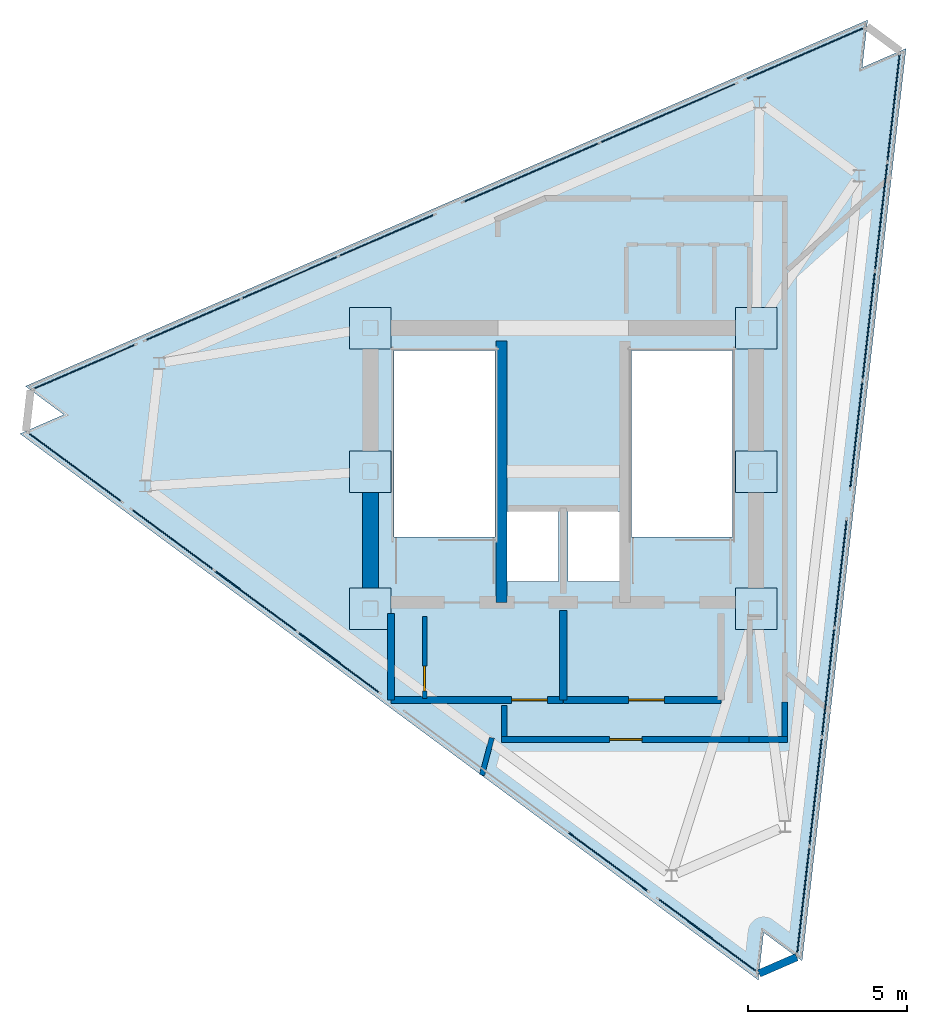
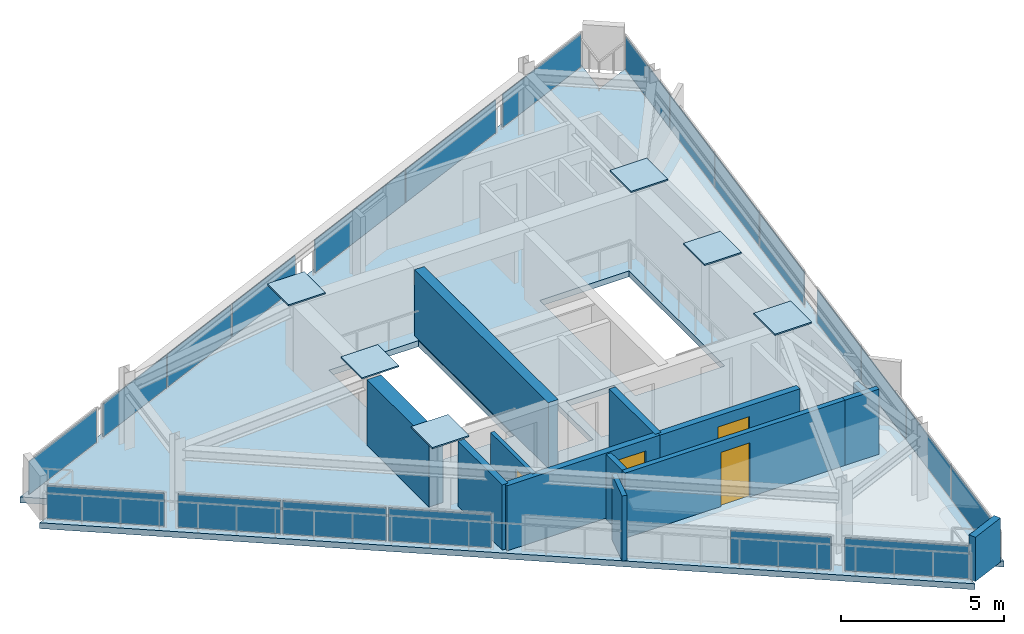
# One storey, part 6 of 9: 27 plates, 13 walls, 4 doors, 1 slab, 4 openings, 10 elements without a shape of their own.
"""IFC4 building model written with IfcOpenShell, lengths in metres."""

from ifc_helpers import new_model, si_unit, direction, frame, frame_2d, origin, origin_2d, place, context, subcontext, project, spatial, polyline, rectangle, outline, extrude, material, layer, layer_set, type_object, element, fill, aggregate, save


model = new_model("IFC4")

# Units and contexts
model_context = context("Model", 3, precision=1e-05, world=origin(), true_north=direction((0.0, 1.0)))
body_context = subcontext(model_context, "Body", "Model", "MODEL_VIEW")
ifc_project = project(units=[si_unit("LENGTHUNIT", "METRE"), si_unit("AREAUNIT", "SQUARE_METRE"), si_unit("VOLUMEUNIT", "CUBIC_METRE"), si_unit("PLANEANGLEUNIT", "RADIAN"), si_unit("MASSUNIT", "GRAM", prefix="KILO")], contexts=[model_context])

# Site, building, storey
site_placement = place(None, origin())
site = spatial("IfcSite", under=ifc_project, at=site_placement, CompositionType="ELEMENT")
building_placement = place(site_placement, origin())
building = spatial("IfcBuilding", under=site, at=building_placement, Name="Rocaltana Carrier Exchange", CompositionType="ELEMENT")
storey_placement = place(building_placement, frame((0.0, 0.0, 254.8798828125)))
storey = spatial("IfcBuildingStorey", under=building, at=storey_placement, Name="L81", CompositionType="ELEMENT", Elevation=254.8798828125)

# Curtain wall, plates
ifc_material_1 = material(Name="Aluminium 6063-T6", Category="aluminium")
ifc_layer_1 = layer(ifc_material_1, 0.110107421875)
ifc_layer_set_1 = layer_set([ifc_layer_1], Name="Aluminium 6063-T6")
curtain_wall_type = type_object("IfcCurtainWallType", Name="Crown Lantern Faceted Curtain Wall CW-06", PredefinedType="NOTDEFINED", material=ifc_layer_set_1)
curtain_wall_1_placement = place(storey_placement, origin())
curtain_wall_1 = element("IfcCurtainWall", 1, at=curtain_wall_1_placement, inside=storey, type_object=curtain_wall_type, Name="L81 CW-06 Run CW06-L81-F1S1", PredefinedType="NOTDEFINED")
ifc_material_2 = material(Name="Tempered Laminated Glass", Category="glass")
ifc_layer_2 = layer(ifc_material_2, 0.033935546875)
ifc_layer_set_2 = layer_set([ifc_layer_2], Name="Tempered Laminated Glass")
plate_type_1 = type_object("IfcPlateType", Name="CW-06 Stone-Insulated Vision Panel", PredefinedType="CURTAIN_PANEL", material=ifc_layer_set_2)
plate_1_placement = place(storey_placement, frame((7.525634765625, -13.44970703125, 0.05517578125), z_axis=(0.0, 0.0, 1.0), x_axis=(0.113202834189, 0.993571898924, 0.0)))
plate_1 = element("IfcPlate", 2, at=plate_1_placement, type_object=plate_type_1, Name="CW-06 panel 1.1", PredefinedType="CURTAIN_PANEL", context=body_context, shape_type="SweptSolid", body=[
    extrude(rectangle(XDim=3.367431640625, YDim=0.033935546875, at=origin_2d()), origin(), (0.0, 0.0, 1.0), 1.22802734375),
])
plate_2_placement = place(storey_placement, frame((7.914794921875, -10.035400390625, 0.05517578125), z_axis=(0.0, 0.0, 1.0), x_axis=(0.113202834189, 0.993571898924, 0.0)))
plate_2 = element("IfcPlate", 3, at=plate_2_placement, type_object=plate_type_1, Name="CW-06 panel 2.1", PredefinedType="CURTAIN_PANEL", context=body_context, shape_type="SweptSolid", body=[
    extrude(rectangle(XDim=3.39501953125, YDim=0.033935546875, at=origin_2d()), origin(), (0.0, 0.0, 1.0), 1.22802734375),
])
plate_3_placement = place(storey_placement, frame((8.30517578125, -6.607666015625, 0.05517578125), z_axis=(0.0, 0.0, 1.0), x_axis=(0.113202834189, 0.993571898924, 0.0)))
plate_3 = element("IfcPlate", 4, at=plate_3_placement, type_object=plate_type_1, Name="CW-06 panel 3.1", PredefinedType="CURTAIN_PANEL", context=body_context, shape_type="SweptSolid", body=[
    extrude(rectangle(XDim=3.39501953125, YDim=0.033935546875, at=origin_2d()), origin(), (0.0, 0.0, 1.0), 1.22802734375),
])
plate_4_placement = place(storey_placement, frame((8.6943359375, -3.193359375, 0.05517578125), z_axis=(0.0, 0.0, 1.0), x_axis=(0.113202834189, 0.993571898924, 0.0)))
plate_4 = element("IfcPlate", 5, at=plate_4_placement, type_object=plate_type_1, Name="CW-06 panel 4.1", PredefinedType="CURTAIN_PANEL", context=body_context, shape_type="SweptSolid", body=[
    extrude(rectangle(XDim=3.367431640625, YDim=0.033935546875, at=origin_2d()), origin(), (0.0, 0.0, 1.0), 1.22802734375),
])
aggregate(curtain_wall_1, [plate_1, plate_2, plate_3, plate_4])

curtain_wall_2_placement = place(storey_placement, origin())
curtain_wall_2 = element("IfcCurtainWall", 6, at=curtain_wall_2_placement, inside=storey, type_object=curtain_wall_type, Name="L81 CW-06 Run CW06-L81-F1S2", PredefinedType="NOTDEFINED")
plate_5_placement = place(storey_placement, frame((9.18994140625, 1.15576171875, 0.05517578125), z_axis=(0.0, 0.0, 1.0), x_axis=(0.113202834189, 0.993571898924, 0.0)))
plate_5 = element("IfcPlate", 7, at=plate_5_placement, type_object=plate_type_1, Name="CW-06 panel 1.1", PredefinedType="CURTAIN_PANEL", context=body_context, shape_type="SweptSolid", body=[
    extrude(rectangle(XDim=3.367431640625, YDim=0.033935546875, at=origin_2d()), origin(), (0.0, 0.0, 1.0), 1.22802734375),
])
plate_6_placement = place(storey_placement, frame((9.578857421875, 4.570068359375, 0.05517578125), z_axis=(0.0, 0.0, 1.0), x_axis=(0.113202834189, 0.993571898924, 0.0)))
plate_6 = element("IfcPlate", 8, at=plate_6_placement, type_object=plate_type_1, Name="CW-06 panel 2.1", PredefinedType="CURTAIN_PANEL", context=body_context, shape_type="SweptSolid", body=[
    extrude(rectangle(XDim=3.39501953125, YDim=0.033935546875, at=origin_2d()), origin(), (0.0, 0.0, 1.0), 1.22802734375),
])
plate_7_placement = place(storey_placement, frame((9.969482421875, 7.997802734375, 0.05517578125), z_axis=(0.0, 0.0, 1.0), x_axis=(0.113202834189, 0.993571898924, 0.0)))
plate_7 = element("IfcPlate", 9, at=plate_7_placement, type_object=plate_type_1, Name="CW-06 panel 3.1", PredefinedType="CURTAIN_PANEL", context=body_context, shape_type="SweptSolid", body=[
    extrude(rectangle(XDim=3.39501953125, YDim=0.033935546875, at=origin_2d()), origin(), (0.0, 0.0, 1.0), 1.22802734375),
])
plate_8_placement = place(storey_placement, frame((10.3583984375, 11.412109375, 0.05517578125), z_axis=(0.0, 0.0, 1.0), x_axis=(0.113202834189, 0.993571898924, 0.0)))
plate_8 = element("IfcPlate", 10, at=plate_8_placement, type_object=plate_type_1, Name="CW-06 panel 4.1", PredefinedType="CURTAIN_PANEL", context=body_context, shape_type="SweptSolid", body=[
    extrude(rectangle(XDim=3.367431640625, YDim=0.033935546875, at=origin_2d()), origin(), (0.0, 0.0, 1.0), 1.22802734375),
])
aggregate(curtain_wall_2, [plate_5, plate_6, plate_7, plate_8])

# Curtain wall, plate
curtain_wall_3_placement = place(storey_placement, origin())
curtain_wall_3 = element("IfcCurtainWall", 11, at=curtain_wall_3_placement, inside=storey, type_object=curtain_wall_type, Name="L81 CW-06 Run CW06-L81-F2S1-S1", PredefinedType="NOTDEFINED")
plate_9_placement = place(storey_placement, frame((7.5810546875, 13.110107421875, 0.05517578125), z_axis=(0.0, 0.0, 1.0), x_axis=(-0.917060839551, -0.39874730916, 0.0)))
plate_9 = element("IfcPlate", 12, at=plate_9_placement, type_object=plate_type_1, Name="CW-06 panel 1.1", PredefinedType="CURTAIN_PANEL", context=body_context, shape_type="SweptSolid", body=[
    extrude(rectangle(XDim=4.030029296875, YDim=0.033935546875, at=origin_2d()), origin(), (0.0, 0.0, 1.0), 1.22802734375),
])
aggregate(curtain_wall_3, [plate_9])

# Curtain wall, plates
curtain_wall_4_placement = place(storey_placement, origin())
curtain_wall_4 = element("IfcCurtainWall", 13, at=curtain_wall_4_placement, inside=storey, type_object=curtain_wall_type, Name="L81 CW-06 Run CW06-L81-F2S1-S2", PredefinedType="NOTDEFINED")
plate_10_placement = place(storey_placement, frame((3.2880859375, 11.243408203125, 0.05517578125), z_axis=(0.0, 0.0, 1.0), x_axis=(-0.917060938974, -0.398747080502, 0.0)))
plate_10 = element("IfcPlate", 14, at=plate_10_placement, type_object=plate_type_1, Name="CW-06 panel 1.1", PredefinedType="CURTAIN_PANEL", context=body_context, shape_type="SweptSolid", body=[
    extrude(rectangle(XDim=4.625732421875, YDim=0.033935546875, at=origin_2d()), origin(), (0.0, 0.0, 1.0), 1.22802734375),
])
plate_11_placement = place(storey_placement, frame((-1.00439453125, 9.377197265625, 0.05517578125), z_axis=(0.0, 0.0, 1.0), x_axis=(-0.917060938974, -0.398747080502, 0.0)))
plate_11 = element("IfcPlate", 15, at=plate_11_placement, type_object=plate_type_1, Name="CW-06 panel 2.1", PredefinedType="CURTAIN_PANEL", context=body_context, shape_type="SweptSolid", body=[
    extrude(rectangle(XDim=4.625732421875, YDim=0.033935546875, at=origin_2d()), origin(), (0.0, 0.0, 1.0), 1.22802734375),
])
aggregate(curtain_wall_4, [plate_10, plate_11])

curtain_wall_5_placement = place(storey_placement, origin())
curtain_wall_5 = element("IfcCurtainWall", 16, at=curtain_wall_5_placement, inside=storey, type_object=curtain_wall_type, Name="L81 CW-06 Run CW06-L81-F2S2-S1", PredefinedType="NOTDEFINED")
plate_12_placement = place(storey_placement, frame((-5.538818359375, 7.405517578125, 0.05517578125), z_axis=(0.0, 0.0, 1.0), x_axis=(-0.917059378373, -0.39875066964, 0.0)))
plate_12 = element("IfcPlate", 17, at=plate_12_placement, type_object=plate_type_1, Name="CW-06 panel 1.1", PredefinedType="CURTAIN_PANEL", context=body_context, shape_type="SweptSolid", body=[
    extrude(rectangle(XDim=3.242919921875, YDim=0.033935546875, at=origin_2d()), origin(), (0.0, 0.0, 1.0), 1.22802734375),
])
plate_13_placement = place(storey_placement, frame((-8.57568359375, 6.0849609375, 0.05517578125), z_axis=(0.0, 0.0, 1.0), x_axis=(-0.917059378373, -0.39875066964, 0.0)))
plate_13 = element("IfcPlate", 18, at=plate_13_placement, type_object=plate_type_1, Name="CW-06 panel 2.1", PredefinedType="CURTAIN_PANEL", context=body_context, shape_type="SweptSolid", body=[
    extrude(rectangle(XDim=3.270263671875, YDim=0.033935546875, at=origin_2d()), origin(), (0.0, 0.0, 1.0), 1.22802734375),
])
plate_14_placement = place(storey_placement, frame((-11.612548828125, 4.7646484375, 0.05517578125), z_axis=(0.0, 0.0, 1.0), x_axis=(-0.917059378373, -0.39875066964, 0.0)))
plate_14 = element("IfcPlate", 19, at=plate_14_placement, type_object=plate_type_1, Name="CW-06 panel 3.1", PredefinedType="CURTAIN_PANEL", context=body_context, shape_type="SweptSolid", body=[
    extrude(rectangle(XDim=3.242919921875, YDim=0.033935546875, at=origin_2d()), origin(), (0.0, 0.0, 1.0), 1.22802734375),
])
aggregate(curtain_wall_5, [plate_12, plate_13, plate_14])

# Curtain wall, plate
curtain_wall_6_placement = place(storey_placement, origin())
curtain_wall_6 = element("IfcCurtainWall", 20, at=curtain_wall_6_placement, inside=storey, type_object=curtain_wall_type, Name="L81 CW-06 Run CW06-L81-F2S2-S2", PredefinedType="NOTDEFINED")
plate_15_placement = place(storey_placement, frame((-15.01513671875, 3.28515625, 0.05517578125), z_axis=(0.0, 0.0, 1.0), x_axis=(-0.917050518138, -0.39877104607, 0.0)))
plate_15 = element("IfcPlate", 21, at=plate_15_placement, type_object=plate_type_1, Name="CW-06 panel 1.1", PredefinedType="CURTAIN_PANEL", context=body_context, shape_type="SweptSolid", body=[
    extrude(rectangle(XDim=3.470458984375, YDim=0.033935546875, at=origin_2d()), origin(), (0.0, 0.0, 1.0), 1.22802734375),
])
aggregate(curtain_wall_6, [plate_15])

curtain_wall_7_placement = place(storey_placement, origin())
curtain_wall_7 = element("IfcCurtainWall", 22, at=curtain_wall_7_placement, inside=storey, type_object=curtain_wall_type, Name="L81 CW-06 Run CW06-L81-F3S1-S1", PredefinedType="NOTDEFINED")
plate_16_placement = place(storey_placement, frame((-15.310302734375, 0.13330078125, 0.05517578125), z_axis=(0.0, 0.0, 1.0), x_axis=(0.803863196545, -0.594814224142, 0.0)))
plate_16 = element("IfcPlate", 23, at=plate_16_placement, type_object=plate_type_1, Name="CW-06 panel 1.1", PredefinedType="CURTAIN_PANEL", context=body_context, shape_type="SweptSolid", body=[
    extrude(rectangle(XDim=3.616943359375, YDim=0.033935546875, at=origin_2d()), origin(), (0.0, 0.0, 1.0), 1.22802734375),
])
aggregate(curtain_wall_7, [plate_16])

# Curtain wall, plates
curtain_wall_8_placement = place(storey_placement, origin())
curtain_wall_8 = element("IfcCurtainWall", 24, at=curtain_wall_8_placement, inside=storey, type_object=curtain_wall_type, Name="L81 CW-06 Run CW06-L81-F3S1-S2", PredefinedType="NOTDEFINED")
plate_17_placement = place(storey_placement, frame((-12.245849609375, -2.134521484375, 0.05517578125), z_axis=(0.0, 0.0, 1.0), x_axis=(0.803860211416, -0.594818258379, 0.0)))
plate_17 = element("IfcPlate", 25, at=plate_17_placement, type_object=plate_type_1, Name="CW-06 panel 1.1", PredefinedType="CURTAIN_PANEL", context=body_context, shape_type="SweptSolid", body=[
    extrude(rectangle(XDim=3.172607421875, YDim=0.033935546875, at=origin_2d()), origin(), (0.0, 0.0, 1.0), 1.22802734375),
])
plate_18_placement = place(storey_placement, frame((-9.64013671875, -4.0625, 0.05517578125), z_axis=(0.0, 0.0, 1.0), x_axis=(0.803860211416, -0.594818258379, 0.0)))
plate_18 = element("IfcPlate", 26, at=plate_18_placement, type_object=plate_type_1, Name="CW-06 panel 2.1", PredefinedType="CURTAIN_PANEL", context=body_context, shape_type="SweptSolid", body=[
    extrude(rectangle(XDim=3.2001953125, YDim=0.033935546875, at=origin_2d()), origin(), (0.0, 0.0, 1.0), 1.22802734375),
])
plate_19_placement = place(storey_placement, frame((-7.034423828125, -5.99072265625, 0.05517578125), z_axis=(0.0, 0.0, 1.0), x_axis=(0.803860211416, -0.594818258379, 0.0)))
plate_19 = element("IfcPlate", 27, at=plate_19_placement, type_object=plate_type_1, Name="CW-06 panel 3.1", PredefinedType="CURTAIN_PANEL", context=body_context, shape_type="SweptSolid", body=[
    extrude(rectangle(XDim=3.172607421875, YDim=0.033935546875, at=origin_2d()), origin(), (0.0, 0.0, 1.0), 1.22802734375),
])
aggregate(curtain_wall_8, [plate_17, plate_18, plate_19])

# Curtain wall, plate
curtain_wall_9_placement = place(storey_placement, origin())
curtain_wall_9 = element("IfcCurtainWall", 28, at=curtain_wall_9_placement, inside=storey, type_object=curtain_wall_type, Name="L81 CW-06 Run CW06-L81-F3S2-S1", PredefinedType="NOTDEFINED")
plate_20_placement = place(storey_placement, frame((1.4033203125, -12.234375, 0.05517578125), z_axis=(0.0, 0.0, 1.0), x_axis=(0.803858299434, -0.594820842297, 0.0)))
plate_20 = element("IfcPlate", 29, at=plate_20_placement, type_object=plate_type_1, Name="CW-06 panel 3.1", PredefinedType="CURTAIN_PANEL", context=body_context, shape_type="SweptSolid", body=[
    extrude(rectangle(XDim=3.105224609375, YDim=0.033935546875, at=origin_2d()), origin(), (0.0, 0.0, 1.0), 1.22802734375),
])
aggregate(curtain_wall_9, [plate_20])

curtain_wall_10_placement = place(storey_placement, origin())
curtain_wall_10 = element("IfcCurtainWall", 30, at=curtain_wall_10_placement, inside=storey, type_object=curtain_wall_type, Name="L81 CW-06 Run CW06-L81-F3S2-S2", PredefinedType="NOTDEFINED")
plate_21_placement = place(storey_placement, frame((4.522216796875, -14.5419921875, 0.05517578125), z_axis=(0.0, 0.0, 1.0), x_axis=(0.803864531142, -0.594812420492, 0.0)))
plate_21 = element("IfcPlate", 31, at=plate_21_placement, type_object=plate_type_1, Name="CW-06 panel 1.1", PredefinedType="CURTAIN_PANEL", context=body_context, shape_type="SweptSolid", body=[
    extrude(rectangle(XDim=3.819580078125, YDim=0.033935546875, at=origin_2d()), origin(), (0.0, 0.0, 1.0), 1.22802734375),
])
aggregate(curtain_wall_10, [plate_21])

# Plates
ifc_material_3 = material(Name="Steel S460", Category="steel")
ifc_layer_3 = layer(ifc_material_3, 0.050048828125)
ifc_layer_set_3 = layer_set([ifc_layer_3], Name="Steel S460")
plate_type_2 = type_object("IfcPlateType", Name="Column Splice Cap Plate 1300x1300x50", PredefinedType="SHEET", material=ifc_layer_set_3)
for number, where, z_axis, x_axis, name in (
    (32, (-6.050048828125, 4.5, 2.85498046875), (0.0, 0.0, 1.0), (1.0, 0.0, 0.0), "Top Cap Plate MC1"),
    (33, (6.050048828125, 4.5, 2.85498046875), (0.0, 0.0, 1.0), (1.0, 0.0, 0.0), "Top Cap Plate MC2"),
    (34, (-6.050048828125, 0.0, 2.85498046875), (0.0, 0.0, 1.0), (1.0, 0.0, 0.0), "Top Cap Plate MC3"),
    (35, (6.050048828125, 0.0, 2.85498046875), (0.0, 0.0, 1.0), (1.0, 0.0, 0.0), "Top Cap Plate MC4"),
    (36, (-6.050048828125, -4.300048828125, 2.85498046875), (0.0, 0.0, 1.0), (1.0, 0.0, 0.0), "Top Cap Plate MC5"),
    (37, (6.050048828125, -4.300048828125, 2.85498046875), (0.0, 0.0, 1.0), (1.0, 0.0, 0.0), "Top Cap Plate MC6"),
):
    element("IfcPlate", number, at=place(storey_placement, frame(where, z_axis=z_axis, x_axis=x_axis)), inside=storey, type_object=plate_type_2, Name=name, PredefinedType="SHEET", context=body_context, shape_type="SweptSolid", body=[
        extrude(rectangle(XDim=1.300048828125, YDim=1.300048828125, at=origin_2d()), origin(), (0.0, 0.0, 1.0), 0.050048828125),
    ])

# Slab
ifc_material_4 = material(Name="Concrete C50/60", Category="concrete")
ifc_layer_4 = layer(ifc_material_4, 0.219970703125)
ifc_layer_set_4 = layer_set([ifc_layer_4], Name="Concrete C50/60")
slab_type = type_object("IfcSlabType", Name="Crown Pyramid Slab 220", PredefinedType="FLOOR", material=ifc_layer_set_4)
slab_placement = place(storey_placement, frame((0.0, 0.0, -0.219970703125)))
element("IfcSlab", 38, at=slab_placement, inside=storey, type_object=slab_type, Name="L81 Structural Floor Slab", PredefinedType="FLOOR", context=body_context, shape_type="SweptSolid", body=[
    extrude(outline(polyline([(6.114990234375, -15.944580078125), (6.284912109375, -14.454345703125), (7.49072265625, -15.3466796875), (10.7509765625, 13.268310546875), (9.37548828125, 12.670166015625), (9.545166015625, 14.160400390625), (-16.8662109375, 2.676513671875), (-15.660400390625, 1.7841796875), (-17.035888671875, 1.18603515625), (6.114990234375, -15.944580078125)]), holes=[polyline([(-5.300048828125, -2.06005859375), (-2.139892578125, -2.06005859375), (-2.139892578125, 3.800048828125), (-5.300048828125, 3.800048828125), (-5.300048828125, -2.06005859375)]), polyline([(2.139892578125, -2.06005859375), (5.300048828125, -2.06005859375), (5.300048828125, 3.800048828125), (2.139892578125, 3.800048828125), (2.139892578125, -2.06005859375)]), polyline([(-1.85009765625, -3.449951171875), (-0.14990234375, -3.449951171875), (-0.14990234375, -1.25), (-1.85009765625, -1.25), (-1.85009765625, -3.449951171875)]), polyline([(0.14990234375, -3.449951171875), (1.85009765625, -3.449951171875), (1.85009765625, -1.25), (0.14990234375, -1.25), (0.14990234375, -3.449951171875)])]), origin(), (0.0, 0.0, 1.0), 0.219970703125),
])

# Walls
ifc_material_5 = material(Name="Double Acoustic Gypsum Partition", Category="gypsum")
ifc_layer_5 = layer(ifc_material_5, 0.159912109375)
ifc_layer_set_5 = layer_set([ifc_layer_5], Name="Double Acoustic Gypsum Partition")
wall_type_1 = type_object("IfcWallType", Name="Acoustic Studio Partition 160 EI60", PredefinedType="PARTITIONING", material=ifc_layer_set_5)
wall_1_placement = place(storey_placement, frame((-2.2373046875, -8.35009765625, 0.0), z_axis=(0.0, 0.0, 1.0), x_axis=(-0.258867090278, -0.965912951342, 0.0)))
element("IfcWall", 39, at=wall_1_placement, inside=storey, type_object=wall_type_1, Name="L81 Suite Divider Wall D1", PredefinedType="PARTITIONING", context=body_context, shape_type="SweptSolid", body=[
    extrude(rectangle(XDim=1.2109375, YDim=0.159912109375, at=frame_2d((0.60546875, 0.0))), origin(), (0.0, 0.0, 1.0), 2.43310546875),
])
ifc_material_6 = material(Name="Concrete C50/60", Category="concrete")
ifc_layer_6 = layer(ifc_material_6, 0.35009765625)
ifc_layer_set_6 = layer_set([ifc_layer_6], Name="Concrete C50/60")
wall_type_2 = type_object("IfcWallType", Name="Core Internal Shear Wall 350", PredefinedType="SHEAR", material=ifc_layer_set_6)
wall_2_placement = place(storey_placement, frame((-1.93994140625, -4.10009765625, 0.0), z_axis=(0.0, 0.0, 1.0), x_axis=(0.0, 1.0, 0.0)))
element("IfcWall", 40, at=wall_2_placement, inside=storey, type_object=wall_type_2, Name="L81 Core Shear Wall CW-STW", PredefinedType="SHEAR", context=body_context, shape_type="SweptSolid", body=[
    extrude(rectangle(XDim=8.2001953125, YDim=0.35009765625, at=frame_2d((4.10009765625, 0.0))), origin(), (0.0, 0.0, 1.0), 2.4580078125),
])
ifc_material_7 = material(Name="Concrete C50/60", Category="concrete")
ifc_layer_7 = layer(ifc_material_7, 0.5)
ifc_layer_set_7 = layer_set([ifc_layer_7], Name="Concrete C50/60")
wall_type_3 = type_object("IfcWallType", Name="Core Shear Wall 500", PredefinedType="SHEAR", material=ifc_layer_set_7)
wall_3_placement = place(storey_placement, frame((-6.050048828125, -4.050048828125, 0.0), z_axis=(0.0, 0.0, 1.0), x_axis=(0.0, 1.0, 0.0)))
element("IfcWall", 41, at=wall_3_placement, inside=storey, type_object=wall_type_3, Name="L81 Core Shear Wall CW-WS", PredefinedType="SHEAR", context=body_context, shape_type="SweptSolid", body=[
    extrude(rectangle(XDim=3.800048828125, YDim=0.5, at=frame_2d((1.89990234375, 0.0))), origin(), (0.0, 0.0, 1.0), 2.4580078125),
])
ifc_material_8 = material(Name="Gypsum & Steel Stud Partition", Category="steel")
ifc_layer_8 = layer(ifc_material_8, 0.179931640625)
ifc_layer_set_8 = layer_set([ifc_layer_8], Name="Gypsum & Steel Stud Partition")
wall_type_4 = type_object("IfcWallType", Name="Corridor Fire Partition 180 EI60", PredefinedType="PARTITIONING", material=ifc_layer_set_8)
wall_4_placement = place(storey_placement, frame((-1.85009765625, -8.31005859375, 0.0), z_axis=(0.0, 0.0, 1.0), x_axis=(0.0, 1.0, 0.0)))
element("IfcWall", 42, at=wall_4_placement, inside=storey, type_object=wall_type_4, Name="L81 Corridor Partition 1", PredefinedType="PARTITIONING", context=body_context, shape_type="SweptSolid", body=[
    extrude(rectangle(XDim=0.97998046875, YDim=0.179931640625, at=frame_2d((0.489990234375, 0.0))), origin(), (0.0, 0.0, 1.0), 2.43310546875),
])
wall_5_placement = place(storey_placement, frame((6.949951171875, -7.219970703125, 0.0), z_axis=(0.0, 0.0, 1.0), x_axis=(0.0, -1.0, 0.0)))
element("IfcWall", 43, at=wall_5_placement, inside=storey, type_object=wall_type_4, Name="L81 Corridor Partition 11", PredefinedType="PARTITIONING", context=body_context, shape_type="SweptSolid", body=[
    extrude(rectangle(XDim=1.090087890625, YDim=0.179931640625, at=frame_2d((0.544921875, 0.0))), origin(), (0.0, 0.0, 1.0), 1.963134765625),
])
wall_6_placement = place(storey_placement, frame((7.0400390625, -8.39990234375, 0.0), z_axis=(0.0, 0.0, 1.0), x_axis=(-1.0, 0.0, 0.0)))
element("IfcWall", 44, at=wall_6_placement, inside=storey, type_object=wall_type_4, Name="L81 Corridor Partition 12", PredefinedType="PARTITIONING", context=body_context, shape_type="SweptSolid", body=[
    extrude(rectangle(XDim=1.2099609375, YDim=0.179931640625, at=frame_2d((0.60498046875, 0.0))), origin(), (0.0, 0.0, 1.0), 2.43310546875),
])

# Wall, opening, door
wall_7_placement = place(storey_placement, frame((5.8701171875, -8.39990234375, 0.0), z_axis=(0.0, 0.0, 1.0), x_axis=(-1.0, 0.0, 0.0)))
wall_7 = element("IfcWall", 45, at=wall_7_placement, inside=storey, type_object=wall_type_4, Name="L81 Corridor Partition 13", PredefinedType="PARTITIONING", context=body_context, shape_type="SweptSolid", body=[
    extrude(rectangle(XDim=7.81005859375, YDim=0.179931640625, at=frame_2d((3.905029296875, 0.0))), origin(), (0.0, 0.0, 1.0), 2.43310546875),
])
opening_1_placement = place(wall_7_placement, frame((3.39501953125, 0.0, 0.0)))
opening_1 = element("IfcOpeningElement", 46, at=opening_1_placement, cuts=wall_7, Name="Opening D-LB104", PredefinedType="OPENING", context=body_context, shape_type="SweptSolid", body=[
    extrude(rectangle(XDim=1.02001953125, YDim=2.02001953125, at=frame_2d((0.510009765625, 1.010009765625))), frame((0.0, 0.099853515625, 0.0), z_axis=(0.0, -1.0, 0.0), x_axis=(1.0, 0.0, 0.0)), (0.0, 0.0, 1.0), 0.199951171875),
])
ifc_material_9 = material(Name="Powder-Coated Aluminium 6063-T6", Category="aluminium")
door_type_1 = type_object("IfcDoorType", Name="Laboratory Acoustic Door 1020x2020", OperationType="NOTDEFINED", PredefinedType="DOOR", material=ifc_material_9)
door_1_placement = place(opening_1_placement, origin())
door_1 = element("IfcDoor", 47, at=door_1_placement, inside=storey, type_object=door_type_1, Name="L81 Optical Switching Laboratory Entrance Door", OperationType="SINGLE_SWING_LEFT", OverallHeight=2.02001953125, OverallWidth=1.02001953125, PredefinedType="DOOR", context=body_context, shape_type="SweptSolid", body=[
    extrude(rectangle(XDim=1.02001953125, YDim=2.02001953125, at=frame_2d((0.510009765625, 1.010009765625))), frame((0.0, 0.02490234375, 0.0), z_axis=(0.0, -1.0, 0.0), x_axis=(1.0, 0.0, 0.0)), (0.0, 0.0, 1.0), 0.050048828125),
])
fill(opening_1, door_1)

# Walls
ifc_material_10 = material(Name="Autoclaved Aerated Concrete C30/37", Category="concrete")
ifc_layer_9 = layer(ifc_material_10, 0.219970703125)
ifc_layer_set_9 = layer_set([ifc_layer_9], Name="Autoclaved Aerated Concrete C30/37")
wall_type_5 = type_object("IfcWallType", Name="Firefighting Lobby Wall 220 EI120", PredefinedType="PARTITIONING", material=ifc_layer_set_9)
wall_8_placement = place(storey_placement, frame((-5.39990234375, -7.159912109375, 0.0), z_axis=(0.0, 0.0, 1.0), x_axis=(0.0, 1.0, 0.0)))
element("IfcWall", 48, at=wall_8_placement, inside=storey, type_object=wall_type_5, Name="L81 FFL Lobby 1 West Wall", PredefinedType="PARTITIONING", context=body_context, shape_type="SweptSolid", body=[
    extrude(rectangle(XDim=2.7099609375, YDim=0.219970703125, at=frame_2d((1.35498046875, 0.0))), origin(), (0.0, 0.0, 1.0), 2.43310546875),
])
wall_9_placement = place(storey_placement, frame((0.0, -7.159912109375, 0.0), z_axis=(0.0, 0.0, 1.0), x_axis=(0.0, 1.0, 0.0)))
element("IfcWall", 49, at=wall_9_placement, inside=storey, type_object=wall_type_5, Name="L81 FFL Lobby Centre Wall", PredefinedType="PARTITIONING", context=body_context, shape_type="SweptSolid", body=[
    extrude(rectangle(XDim=2.809814453125, YDim=0.219970703125, at=frame_2d((1.40478515625, 0.0))), origin(), (0.0, 0.0, 1.0), 2.43310546875),
])

# Wall, opening, door
wall_10_placement = place(storey_placement, frame((-5.39990234375, -7.159912109375, 0.0), z_axis=(0.0, 0.0, 1.0), x_axis=(1.0, 0.0, 0.0)))
wall_10 = element("IfcWall", 50, at=wall_10_placement, inside=storey, type_object=wall_type_5, Name="L81 FFL Lobby 1 South Wall", PredefinedType="PARTITIONING", context=body_context, shape_type="SweptSolid", body=[
    extrude(rectangle(XDim=5.39990234375, YDim=0.219970703125, at=frame_2d((2.699951171875, 0.0))), origin(), (0.0, 0.0, 1.0), 2.43310546875),
])
opening_2_placement = place(wall_10_placement, frame((3.780029296875, 0.0, 0.0)))
opening_2 = element("IfcOpeningElement", 51, at=opening_2_placement, cuts=wall_10, Name="Opening D-FF115", PredefinedType="OPENING", context=body_context, shape_type="SweptSolid", body=[
    extrude(rectangle(XDim=1.1201171875, YDim=2.02001953125, at=frame_2d((0.56005859375, 1.010009765625))), frame((0.0, 0.119873046875, 0.0), z_axis=(0.0, -1.0, 0.0), x_axis=(1.0, 0.0, 0.0)), (0.0, 0.0, 1.0), 0.239990234375),
])
ifc_material_11 = material(Name="Hollow Metal Fire Door Assembly", Category="steel")
door_type_2 = type_object("IfcDoorType", Name="Firefighting Lobby Door 1120x2020 FD60S", OperationType="NOTDEFINED", PredefinedType="DOOR", material=ifc_material_11)
door_2_placement = place(opening_2_placement, origin())
door_2 = element("IfcDoor", 52, at=door_2_placement, inside=storey, type_object=door_type_2, Name="L81 Firefighting Lift Lobby 1 Door", OperationType="SINGLE_SWING_RIGHT", OverallHeight=2.02001953125, OverallWidth=1.1201171875, PredefinedType="DOOR", context=body_context, shape_type="SweptSolid", body=[
    extrude(rectangle(XDim=1.1201171875, YDim=2.02001953125, at=frame_2d((0.56005859375, 1.010009765625))), frame((0.0, 0.02490234375, 0.0), z_axis=(0.0, -1.0, 0.0), x_axis=(1.0, 0.0, 0.0)), (0.0, 0.0, 1.0), 0.050048828125),
])
fill(opening_2, door_2)

wall_11_placement = place(storey_placement, frame((0.0, -7.159912109375, 0.0), z_axis=(0.0, 0.0, 1.0), x_axis=(1.0, 0.0, 0.0)))
wall_11 = element("IfcWall", 53, at=wall_11_placement, inside=storey, type_object=wall_type_5, Name="L81 FFL Lobby 2 South Wall", PredefinedType="PARTITIONING", context=body_context, shape_type="SweptSolid", body=[
    extrude(rectangle(XDim=4.949951171875, YDim=0.219970703125, at=frame_2d((2.47509765625, 0.0))), origin(), (0.0, 0.0, 1.0), 2.43310546875),
])
opening_3_placement = place(wall_11_placement, frame((2.050048828125, 0.0, 0.0)))
opening_3 = element("IfcOpeningElement", 54, at=opening_3_placement, cuts=wall_11, Name="Opening D-FF115", PredefinedType="OPENING", context=body_context, shape_type="SweptSolid", body=[
    extrude(rectangle(XDim=1.1201171875, YDim=2.02001953125, at=frame_2d((0.56005859375, 1.010009765625))), frame((0.0, 0.119873046875, 0.0), z_axis=(0.0, -1.0, 0.0), x_axis=(1.0, 0.0, 0.0)), (0.0, 0.0, 1.0), 0.239990234375),
])
door_3_placement = place(opening_3_placement, origin())
door_3 = element("IfcDoor", 55, at=door_3_placement, inside=storey, type_object=door_type_2, Name="L81 Firefighting Lift Lobby 2 Door", OperationType="SINGLE_SWING_LEFT", OverallHeight=2.02001953125, OverallWidth=1.1201171875, PredefinedType="DOOR", context=body_context, shape_type="SweptSolid", body=[
    extrude(rectangle(XDim=1.1201171875, YDim=2.02001953125, at=frame_2d((0.56005859375, 1.010009765625))), frame((0.0, 0.02490234375, 0.0), z_axis=(0.0, -1.0, 0.0), x_axis=(1.0, 0.0, 0.0)), (0.0, 0.0, 1.0), 0.050048828125),
])
fill(opening_3, door_3)

# Wall
ifc_material_12 = material(Name="Precast sandstone concrete C40/50", Category="masonry")
ifc_layer_10 = layer(ifc_material_12, 0.239990234375)
ifc_layer_set_10 = layer_set([ifc_layer_10], Name="Precast sandstone concrete C40/50")
wall_type_6 = type_object("IfcWallType", Name="Terrace Stone Parapet Wall 240", PredefinedType="PARAPET", material=ifc_layer_set_10)
wall_12_placement = place(storey_placement, frame((6.141845703125, -15.740478515625, 0.0), z_axis=(0.0, 0.0, 1.0), x_axis=(0.917064030228, 0.398739970986, 0.0)))
element("IfcWall", 56, at=wall_12_placement, inside=storey, type_object=wall_type_6, Name="L81 Crown Corner Mullion Wall C3", PredefinedType="PARAPET", context=body_context, shape_type="SweptSolid", body=[
    extrude(rectangle(XDim=1.288330078125, YDim=0.239990234375, at=frame_2d((0.64404296875, 0.0))), origin(), (0.0, 0.0, 1.0), 1.650146484375),
])

# Wall, opening, door
ifc_material_13 = material(Name="Moisture-Resistant Masonry C30/37", Category="masonry")
ifc_layer_11 = layer(ifc_material_13, 0.139892578125)
ifc_layer_set_11 = layer_set([ifc_layer_11], Name="Moisture-Resistant Masonry C30/37")
wall_type_7 = type_object("IfcWallType", Name="Wet-Area Sanitary Partition 140", PredefinedType="PARTITIONING", material=ifc_layer_set_11)
wall_13_placement = place(storey_placement, frame((-4.35009765625, -7.1201171875, 0.0), z_axis=(0.0, 0.0, 1.0), x_axis=(0.0, 1.0, 0.0)))
wall_13 = element("IfcWall", 57, at=wall_13_placement, inside=storey, type_object=wall_type_7, Name="L81 Crown Cleaner Store East Wall", PredefinedType="PARTITIONING", context=body_context, shape_type="SweptSolid", body=[
    extrude(rectangle(XDim=2.570068359375, YDim=0.139892578125, at=frame_2d((1.28515625, 0.0))), origin(), (0.0, 0.0, 1.0), 2.43310546875),
])
opening_4_placement = place(wall_13_placement, frame((0.239990234375, 0.0, 0.0)))
opening_4 = element("IfcOpeningElement", 58, at=opening_4_placement, cuts=wall_13, Name="Opening D-RS082", PredefinedType="OPENING", context=body_context, shape_type="SweptSolid", body=[
    extrude(rectangle(XDim=0.780029296875, YDim=2.010009765625, at=frame_2d((0.39013671875, 1.0048828125))), frame((0.0, 0.079833984375, 0.0), z_axis=(0.0, -1.0, 0.0), x_axis=(1.0, 0.0, 0.0)), (0.0, 0.0, 1.0), 0.159912109375),
])
ifc_material_14 = material(Name="Hollow Metal Access Door Leaf", Category="steel")
door_type_3 = type_object("IfcDoorType", Name="Riser & Service Closet Door 780x2010", OperationType="NOTDEFINED", PredefinedType="DOOR", material=ifc_material_14)
door_4_placement = place(opening_4_placement, origin())
door_4 = element("IfcDoor", 59, at=door_4_placement, inside=storey, type_object=door_type_3, Name="L81 Crown Cleaner Store Door", OperationType="SINGLE_SWING_LEFT", OverallHeight=2.010009765625, OverallWidth=0.780029296875, PredefinedType="DOOR", context=body_context, shape_type="SweptSolid", body=[
    extrude(rectangle(XDim=0.780029296875, YDim=2.010009765625, at=frame_2d((0.39013671875, 1.0048828125))), frame((0.0, 0.02490234375, 0.0), z_axis=(0.0, -1.0, 0.0), x_axis=(1.0, 0.0, 0.0)), (0.0, 0.0, 1.0), 0.050048828125),
])
fill(opening_4, door_4)

save(model, "model.ifc")
